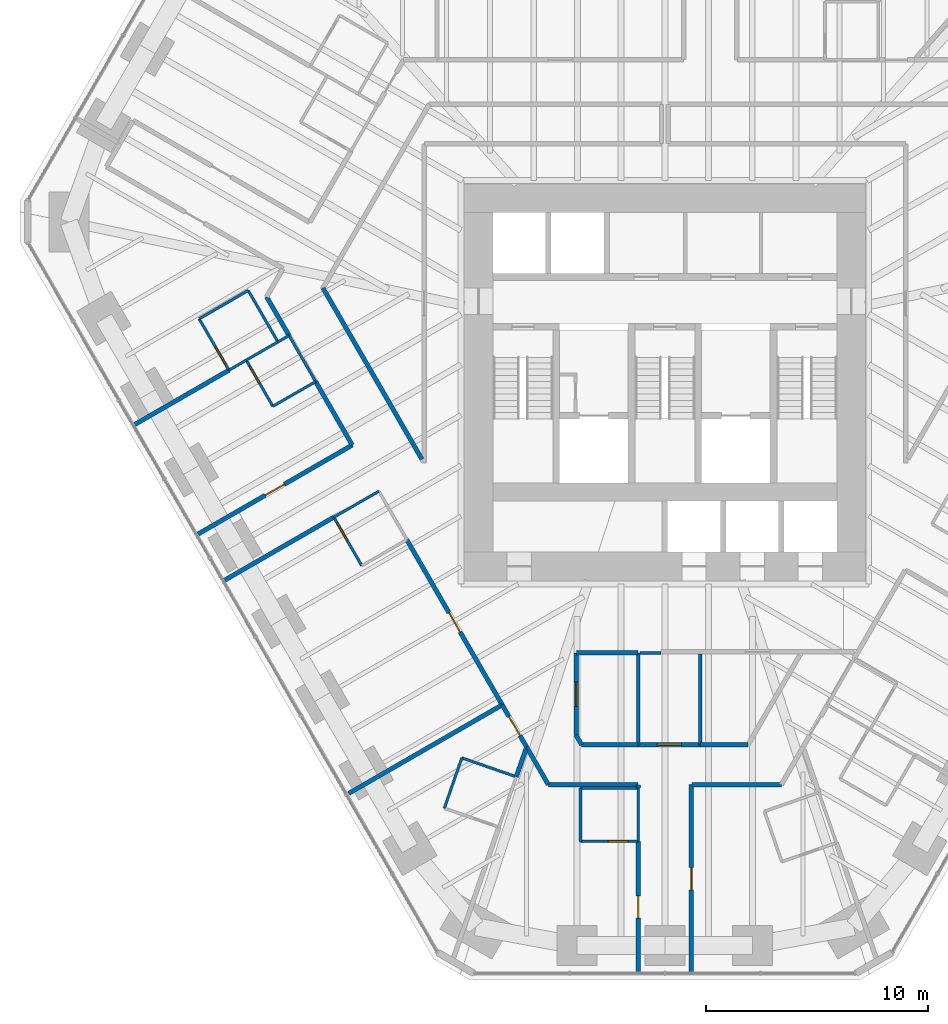
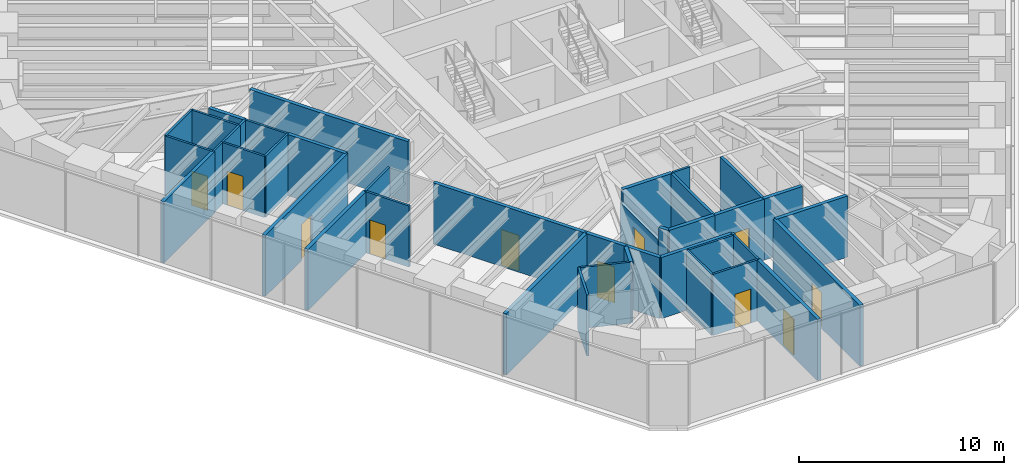
# One storey, part 11 of 16: 42 walls, 11 doors, 11 openings.
"""IFC4 building model written with IfcOpenShell, lengths in metres."""

from ifc_helpers import new_model, si_unit, direction, frame, frame_2d, origin, place, context, subcontext, project, spatial, rectangle, extrude, material, layer, layer_set, type_object, element, fill, save


model = new_model("IFC4")

# Units and contexts
model_context = context("Model", 3, precision=1e-05, world=origin(), true_north=direction((0.0, 1.0)))
body_context = subcontext(model_context, "Body", "Model", "MODEL_VIEW")
ifc_project = project(units=[si_unit("LENGTHUNIT", "METRE"), si_unit("AREAUNIT", "SQUARE_METRE"), si_unit("VOLUMEUNIT", "CUBIC_METRE"), si_unit("PLANEANGLEUNIT", "RADIAN"), si_unit("MASSUNIT", "GRAM", prefix="KILO")], contexts=[model_context])

# Site, building, storey
site_placement = place(None, origin())
site = spatial("IfcSite", under=ifc_project, at=site_placement, CompositionType="ELEMENT")
building_placement = place(site_placement, origin())
building = spatial("IfcBuilding", under=site, at=building_placement, Name="Sandreach Pilgrim Tower", CompositionType="ELEMENT")
storey_placement = place(building_placement, frame((0.0, 0.0, 134.800048828125)))
storey = spatial("IfcBuildingStorey", under=building, at=storey_placement, Name="L33", CompositionType="ELEMENT", Elevation=134.800048828125)

# Walls
ifc_material_1 = material(Name="Gypsum board on steel studs", Category="steel")
ifc_layer_1 = layer(ifc_material_1, 0.14990234375)
ifc_layer_set_1 = layer_set([ifc_layer_1], Name="Back of house wall 150")
wall_type_1 = type_object("IfcWallType", Name="Back of house wall 150", PredefinedType="PARTITIONING", material=ifc_layer_set_1)
wall_1_placement = place(storey_placement, frame((-1.199951171875, -13.75, 0.0), z_axis=(0.0, 0.0, 1.0), x_axis=(0.0, -1.0, 0.0)))
element("IfcWall", 1, at=wall_1_placement, inside=storey, type_object=wall_type_1, Name="Back of house wall L33-064", PredefinedType="PARTITIONING", context=body_context, shape_type="SweptSolid", body=[
    extrude(rectangle(XDim=4.139892578125, YDim=0.14990234375, at=frame_2d((2.06982421875, 0.0))), origin(), (0.0, 0.0, 1.0), 3.639892578125),
])
wall_2_placement = place(storey_placement, frame((1.60009765625, -13.800048828125, 0.0), z_axis=(0.0, 0.0, 1.0), x_axis=(0.0, -1.0, 0.0)))
element("IfcWall", 2, at=wall_2_placement, inside=storey, type_object=wall_type_1, Name="Back of house wall L33-075", PredefinedType="PARTITIONING", context=body_context, shape_type="SweptSolid", body=[
    extrude(rectangle(XDim=4.08984375, YDim=0.14990234375, at=frame_2d((2.044921875, 0.0))), origin(), (0.0, 0.0, 1.0), 3.639892578125),
])

# Wall, opening, door
ifc_material_2 = material(Name="Moisture-resistant gypsum board on steel studs", Category="steel")
ifc_layer_2 = layer(ifc_material_2, 0.1201171875)
ifc_layer_set_2 = layer_set([ifc_layer_2], Name="Bathroom partition 120")
wall_type_2 = type_object("IfcWallType", Name="Bathroom partition 120", PredefinedType="PARTITIONING", material=ifc_layer_set_2)
wall_3_placement = place(storey_placement, frame((-20.989990234375, 1.31005859375, 0.0), z_axis=(0.0, 0.0, 1.0), x_axis=(0.501789229896, -0.86498992408, 0.0)))
wall_3 = element("IfcWall", 3, at=wall_3_placement, inside=storey, type_object=wall_type_2, Name="Bathroom partition L33-007", PredefinedType="PARTITIONING", context=body_context, shape_type="SweptSolid", body=[
    extrude(rectangle(XDim=2.670654296875, YDim=0.1201171875, at=frame_2d((1.33544921875, 0.0))), origin(), (0.0, 0.0, 1.0), 3.639892578125),
])
opening_1_placement = place(wall_3_placement, frame((1.470458984375, 0.0, 0.0)))
opening_1 = element("IfcOpeningElement", 4, at=opening_1_placement, cuts=wall_3, Name="Opening D09-15B", PredefinedType="OPENING", context=body_context, shape_type="SweptSolid", body=[
    extrude(rectangle(XDim=0.89990234375, YDim=2.030029296875, at=frame_2d((0.449951171875, 1.01513671875))), frame((0.0, 0.06005859375, 0.0), z_axis=(0.0, -1.0, 0.0), x_axis=(1.0, 0.0, 0.0)), (0.0, 0.0, 1.0), 0.1201171875),
])
ifc_material_3 = material(Name="Timber door, steel frame", Category="steel")
door_type_1 = type_object("IfcDoorType", Name="Bathroom door", OperationType="SINGLE_SWING_LEFT", PredefinedType="DOOR", material=ifc_material_3)
door_1_placement = place(opening_1_placement, origin())
door_1 = element("IfcDoor", 5, at=door_1_placement, inside=storey, type_object=door_type_1, Name="Door 3315B", OperationType="SINGLE_SWING_RIGHT", OverallHeight=2.030029296875, OverallWidth=0.89990234375, PredefinedType="DOOR", context=body_context, shape_type="SweptSolid", body=[
    extrude(rectangle(XDim=0.89990234375, YDim=2.030029296875, at=frame_2d((0.449951171875, 1.01513671875))), frame((0.0, 0.02490234375, 0.0), z_axis=(0.0, -1.0, 0.0), x_axis=(1.0, 0.0, 0.0)), (0.0, 0.0, 1.0), 0.050048828125),
])
fill(opening_1, door_1)

# Wall
wall_4_placement = place(storey_placement, frame((-19.648193359375, -1.0029296875, 0.0), z_axis=(0.0, 0.0, 1.0), x_axis=(0.864260452894, 0.503044599974, 0.0)))
element("IfcWall", 6, at=wall_4_placement, inside=storey, type_object=wall_type_2, Name="Bathroom partition L33-009", PredefinedType="PARTITIONING", context=body_context, shape_type="SweptSolid", body=[
    extrude(rectangle(XDim=0.900390625, YDim=0.1201171875, at=frame_2d((0.4501953125, 0.0))), origin(), (0.0, 0.0, 1.0), 3.639892578125),
])

# Wall, opening, door
wall_5_placement = place(storey_placement, frame((-18.8701171875, -0.550048828125, 0.0), z_axis=(0.0, 0.0, 1.0), x_axis=(0.499813401482, -0.866133109688, 0.0)))
wall_5 = element("IfcWall", 7, at=wall_5_placement, inside=storey, type_object=wall_type_2, Name="Bathroom partition L33-010", PredefinedType="PARTITIONING", context=body_context, shape_type="SweptSolid", body=[
    extrude(rectangle(XDim=2.4013671875, YDim=0.1201171875, at=frame_2d((1.20068359375, 0.0))), origin(), (0.0, 0.0, 1.0), 3.639892578125),
])
opening_2_placement = place(wall_5_placement, frame((0.300048828125, 0.0, 0.0)))
opening_2 = element("IfcOpeningElement", 8, at=opening_2_placement, cuts=wall_5, Name="Opening D09-14B", PredefinedType="OPENING", context=body_context, shape_type="SweptSolid", body=[
    extrude(rectangle(XDim=0.89990234375, YDim=2.030029296875, at=frame_2d((0.449951171875, 1.01513671875))), frame((0.0, 0.06005859375, 0.0), z_axis=(0.0, -1.0, 0.0), x_axis=(1.0, 0.0, 0.0)), (0.0, 0.0, 1.0), 0.1201171875),
])
door_2_placement = place(opening_2_placement, origin())
door_2 = element("IfcDoor", 9, at=door_2_placement, inside=storey, type_object=door_type_1, Name="Door 3314B", OperationType="SINGLE_SWING_LEFT", OverallHeight=2.030029296875, OverallWidth=0.89990234375, PredefinedType="DOOR", context=body_context, shape_type="SweptSolid", body=[
    extrude(rectangle(XDim=0.89990234375, YDim=2.030029296875, at=frame_2d((0.449951171875, 1.01513671875))), frame((0.0, 0.02490234375, 0.0), z_axis=(0.0, -1.0, 0.0), x_axis=(1.0, 0.0, 0.0)), (0.0, 0.0, 1.0), 0.050048828125),
])
fill(opening_2, door_2)

# Walls
wall_6_placement = place(storey_placement, frame((-18.8701171875, -0.550048828125, 0.0), z_axis=(0.0, 0.0, 1.0), x_axis=(0.867504015586, 0.497430178961, 0.0)))
element("IfcWall", 10, at=wall_6_placement, inside=storey, type_object=wall_type_2, Name="Bathroom partition L33-011", PredefinedType="PARTITIONING", context=body_context, shape_type="SweptSolid", body=[
    extrude(rectangle(XDim=1.648681640625, YDim=0.1201171875, at=frame_2d((0.82421875, 0.0))), origin(), (0.0, 0.0, 1.0), 3.639892578125),
])
wall_7_placement = place(storey_placement, frame((-18.780029296875, 2.590087890625, 0.0), z_axis=(0.0, 0.0, 1.0), x_axis=(-0.865328095335, -0.50120583339, 0.0)))
element("IfcWall", 11, at=wall_7_placement, inside=storey, type_object=wall_type_2, Name="Bathroom partition L33-012", PredefinedType="PARTITIONING", context=body_context, shape_type="SweptSolid", body=[
    extrude(rectangle(XDim=2.553955078125, YDim=0.1201171875, at=frame_2d((1.27685546875, 0.0))), origin(), (0.0, 0.0, 1.0), 3.639892578125),
])
wall_8_placement = place(storey_placement, frame((-17.669921875, -2.6298828125, 0.0), z_axis=(0.0, 0.0, 1.0), x_axis=(0.86687668408, 0.498522631983, 0.0)))
element("IfcWall", 12, at=wall_8_placement, inside=storey, type_object=wall_type_2, Name="Bathroom partition L33-014", PredefinedType="PARTITIONING", context=body_context, shape_type="SweptSolid", body=[
    extrude(rectangle(XDim=2.226318359375, YDim=0.1201171875, at=frame_2d((1.11328125, 0.0))), origin(), (0.0, 0.0, 1.0), 3.639892578125),
])
wall_9_placement = place(storey_placement, frame((-17.43994140625, 0.27001953125, 0.0), z_axis=(0.0, 0.0, 1.0), x_axis=(-0.500166770141, 0.865929097586, 0.0)))
element("IfcWall", 13, at=wall_9_placement, inside=storey, type_object=wall_type_2, Name="Bathroom partition L33-015", PredefinedType="PARTITIONING", context=body_context, shape_type="SweptSolid", body=[
    extrude(rectangle(XDim=2.67919921875, YDim=0.1201171875, at=frame_2d((1.339599609375, 0.0))), origin(), (0.0, 0.0, 1.0), 3.639892578125),
])
wall_10_placement = place(storey_placement, frame((-17.43994140625, 0.27001953125, 0.0), z_axis=(0.0, 0.0, 1.0), x_axis=(0.865001858693, 0.501768656312, 0.0)))
element("IfcWall", 14, at=wall_10_placement, inside=storey, type_object=wall_type_2, Name="Bathroom partition L33-016", PredefinedType="PARTITIONING", context=body_context, shape_type="SweptSolid", body=[
    extrude(rectangle(XDim=0.578125, YDim=0.1201171875, at=frame_2d((0.2890625, 0.0))), origin(), (0.0, 0.0, 1.0), 3.639892578125),
])
wall_11_placement = place(storey_placement, frame((-16.93994140625, 0.56005859375, 0.0), z_axis=(0.0, 0.0, 1.0), x_axis=(0.499693115345, -0.866202511239, 0.0)))
element("IfcWall", 15, at=wall_11_placement, inside=storey, type_object=wall_type_2, Name="Bathroom partition L33-018", PredefinedType="PARTITIONING", context=body_context, shape_type="SweptSolid", body=[
    extrude(rectangle(XDim=2.4013671875, YDim=0.1201171875, at=frame_2d((1.20068359375, 0.0))), origin(), (0.0, 0.0, 1.0), 3.639892578125),
])

# Wall, opening, door
wall_12_placement = place(storey_placement, frame((-14.919921875, -7.6298828125, 0.0), z_axis=(0.0, 0.0, 1.0), x_axis=(0.498665353881, -0.866794592068, 0.0)))
wall_12 = element("IfcWall", 16, at=wall_12_placement, inside=storey, type_object=wall_type_2, Name="Bathroom partition L33-027", PredefinedType="PARTITIONING", context=body_context, shape_type="SweptSolid", body=[
    extrude(rectangle(XDim=2.52685546875, YDim=0.1201171875, at=frame_2d((1.263427734375, 0.0))), origin(), (0.0, 0.0, 1.0), 3.639892578125),
])
opening_3_placement = place(wall_12_placement, frame((0.300048828125, 0.0, 0.0)))
opening_3 = element("IfcOpeningElement", 17, at=opening_3_placement, cuts=wall_12, Name="Opening D09-13B", PredefinedType="OPENING", context=body_context, shape_type="SweptSolid", body=[
    extrude(rectangle(XDim=0.89990234375, YDim=2.030029296875, at=frame_2d((0.449951171875, 1.01513671875))), frame((0.0, 0.06005859375, 0.0), z_axis=(0.0, -1.0, 0.0), x_axis=(1.0, 0.0, 0.0)), (0.0, 0.0, 1.0), 0.1201171875),
])
door_3_placement = place(opening_3_placement, origin())
door_3 = element("IfcDoor", 18, at=door_3_placement, inside=storey, type_object=door_type_1, Name="Door 3313B", OperationType="SINGLE_SWING_LEFT", OverallHeight=2.030029296875, OverallWidth=0.89990234375, PredefinedType="DOOR", context=body_context, shape_type="SweptSolid", body=[
    extrude(rectangle(XDim=0.89990234375, YDim=2.030029296875, at=frame_2d((0.449951171875, 1.01513671875))), frame((0.0, 0.02490234375, 0.0), z_axis=(0.0, -1.0, 0.0), x_axis=(1.0, 0.0, 0.0)), (0.0, 0.0, 1.0), 0.050048828125),
])
fill(opening_3, door_3)

# Walls
wall_13_placement = place(storey_placement, frame((-14.919921875, -7.6298828125, 0.0), z_axis=(0.0, 0.0, 1.0), x_axis=(0.866390229467, 0.499367570316, 0.0)))
element("IfcWall", 19, at=wall_13_placement, inside=storey, type_object=wall_type_2, Name="Bathroom partition L33-028", PredefinedType="PARTITIONING", context=body_context, shape_type="SweptSolid", body=[
    extrude(rectangle(XDim=2.3427734375, YDim=0.1201171875, at=frame_2d((1.17138671875, 0.0))), origin(), (0.0, 0.0, 1.0), 3.639892578125),
])
wall_14_placement = place(storey_placement, frame((-9.14990234375, -18.47998046875, 0.0), z_axis=(0.0, 0.0, 1.0), x_axis=(-0.328693963496, -0.944436487203, 0.0)))
element("IfcWall", 20, at=wall_14_placement, inside=storey, type_object=wall_type_2, Name="Bathroom partition L33-047", PredefinedType="PARTITIONING", context=body_context, shape_type="SweptSolid", body=[
    extrude(rectangle(XDim=2.403564453125, YDim=0.1201171875, at=frame_2d((1.20166015625, 0.0))), origin(), (0.0, 0.0, 1.0), 3.639892578125),
])
wall_15_placement = place(storey_placement, frame((-6.699951171875, -19.330078125, 0.0), z_axis=(0.0, 0.0, 1.0), x_axis=(-0.944753042377, 0.327782990589, 0.0)))
element("IfcWall", 21, at=wall_15_placement, inside=storey, type_object=wall_type_2, Name="Bathroom partition L33-050", PredefinedType="PARTITIONING", context=body_context, shape_type="SweptSolid", body=[
    extrude(rectangle(XDim=2.593505859375, YDim=0.1201171875, at=frame_2d((1.296875, 0.0))), origin(), (0.0, 0.0, 1.0), 3.639892578125),
])

# Wall, opening, door
wall_16_placement = place(storey_placement, frame((-3.800048828125, -22.239990234375, 0.0), z_axis=(0.0, 0.0, 1.0), x_axis=(1.0, 0.0, 0.0)))
wall_16 = element("IfcWall", 22, at=wall_16_placement, inside=storey, type_object=wall_type_2, Name="Bathroom partition L33-056", PredefinedType="PARTITIONING", context=body_context, shape_type="SweptSolid", body=[
    extrude(rectangle(XDim=2.60009765625, YDim=0.1201171875, at=frame_2d((1.300048828125, 0.0))), origin(), (0.0, 0.0, 1.0), 3.639892578125),
])
opening_4_placement = place(wall_16_placement, frame((1.25, 0.0, 0.0)))
opening_4 = element("IfcOpeningElement", 23, at=opening_4_placement, cuts=wall_16, Name="Opening D09-11B", PredefinedType="OPENING", context=body_context, shape_type="SweptSolid", body=[
    extrude(rectangle(XDim=0.89990234375, YDim=2.030029296875, at=frame_2d((0.449951171875, 1.01513671875))), frame((0.0, 0.06005859375, 0.0), z_axis=(0.0, -1.0, 0.0), x_axis=(1.0, 0.0, 0.0)), (0.0, 0.0, 1.0), 0.1201171875),
])
door_4_placement = place(opening_4_placement, origin())
door_4 = element("IfcDoor", 24, at=door_4_placement, inside=storey, type_object=door_type_1, Name="Door 3311B", OperationType="SINGLE_SWING_RIGHT", OverallHeight=2.030029296875, OverallWidth=0.89990234375, PredefinedType="DOOR", context=body_context, shape_type="SweptSolid", body=[
    extrude(rectangle(XDim=0.89990234375, YDim=2.030029296875, at=frame_2d((0.449951171875, 1.01513671875))), frame((0.0, 0.02490234375, 0.0), z_axis=(0.0, -1.0, 0.0), x_axis=(1.0, 0.0, 0.0)), (0.0, 0.0, 1.0), 0.050048828125),
])
fill(opening_4, door_4)

# Walls
wall_17_placement = place(storey_placement, frame((-3.800048828125, -19.840087890625, 0.0), z_axis=(0.0, 0.0, 1.0), x_axis=(0.0, -1.0, 0.0)))
element("IfcWall", 25, at=wall_17_placement, inside=storey, type_object=wall_type_2, Name="Bathroom partition L33-057", PredefinedType="PARTITIONING", context=body_context, shape_type="SweptSolid", body=[
    extrude(rectangle(XDim=2.39990234375, YDim=0.1201171875, at=frame_2d((1.199951171875, 0.0))), origin(), (0.0, 0.0, 1.0), 3.639892578125),
])
wall_18_placement = place(storey_placement, frame((-1.199951171875, -19.840087890625, 0.0), z_axis=(0.0, 0.0, 1.0), x_axis=(-1.0, 0.0, 0.0)))
element("IfcWall", 26, at=wall_18_placement, inside=storey, type_object=wall_type_2, Name="Bathroom partition L33-060", PredefinedType="PARTITIONING", context=body_context, shape_type="SweptSolid", body=[
    extrude(rectangle(XDim=2.60009765625, YDim=0.1201171875, at=frame_2d((1.300048828125, 0.0))), origin(), (0.0, 0.0, 1.0), 3.639892578125),
])
wall_19_placement = place(storey_placement, frame((-1.199951171875, -19.840087890625, 0.0), z_axis=(0.0, 0.0, 1.0), x_axis=(0.0, -1.0, 0.0)))
element("IfcWall", 27, at=wall_19_placement, inside=storey, type_object=wall_type_2, Name="Bathroom partition L33-061", PredefinedType="PARTITIONING", context=body_context, shape_type="SweptSolid", body=[
    extrude(rectangle(XDim=2.39990234375, YDim=0.1201171875, at=frame_2d((1.199951171875, 0.0))), origin(), (0.0, 0.0, 1.0), 3.639892578125),
])
wall_20_placement = place(storey_placement, frame((-1.125, -13.75, 0.0), z_axis=(0.0, 0.0, 1.0), x_axis=(1.0, 0.0, 0.0)))
element("IfcWall", 28, at=wall_20_placement, inside=storey, type_object=wall_type_2, Name="Bathroom partition L33-065", PredefinedType="PARTITIONING", context=body_context, shape_type="SweptSolid", body=[
    extrude(rectangle(XDim=0.955078125, YDim=0.1201171875, at=frame_2d((0.4775390625, 0.0))), origin(), (0.0, 0.0, 1.0), 3.639892578125),
])
ifc_material_4 = material(Name="Gypsum board on steel studs, two layers each side", Category="steel")
ifc_layer_3 = layer(ifc_material_4, 0.199951171875)
ifc_layer_set_3 = layer_set([ifc_layer_3], Name="Corridor wall 200")
wall_type_3 = type_object("IfcWallType", Name="Corridor wall 200", PredefinedType="PARTITIONING", material=ifc_layer_set_3)
wall_21_placement = place(storey_placement, frame((-19.884033203125, -10.4951171875, 0.0), z_axis=(0.0, 0.0, 1.0), x_axis=(0.86608558139, 0.499895754841, 0.0)))
element("IfcWall", 29, at=wall_21_placement, inside=storey, type_object=wall_type_3, Name="Corridor wall L33-008", PredefinedType="PARTITIONING", context=body_context, shape_type="SweptSolid", body=[
    extrude(rectangle(XDim=5.731689453125, YDim=0.199951171875, at=frame_2d((2.86572265625, 0.0))), origin(), (0.0, 0.0, 1.0), 3.639892578125),
])
wall_22_placement = place(storey_placement, frame((-17.949951171875, 2.300048828125, 0.0), z_axis=(0.0, 0.0, 1.0), x_axis=(0.502021340952, -0.864855232527, 0.0)))
element("IfcWall", 30, at=wall_22_placement, inside=storey, type_object=wall_type_3, Name="Corridor wall L33-013", PredefinedType="PARTITIONING", context=body_context, shape_type="SweptSolid", body=[
    extrude(rectangle(XDim=2.011962890625, YDim=0.199951171875, at=frame_2d((1.005859375, 0.0))), origin(), (0.0, 0.0, 1.0), 3.639892578125),
])
wall_23_placement = place(storey_placement, frame((-15.739990234375, -1.52001953125, 0.0), z_axis=(0.0, 0.0, 1.0), x_axis=(0.499728874041, -0.866181881853, 0.0)))
element("IfcWall", 31, at=wall_23_placement, inside=storey, type_object=wall_type_3, Name="Corridor wall L33-023", PredefinedType="PARTITIONING", context=body_context, shape_type="SweptSolid", body=[
    extrude(rectangle(XDim=3.291748046875, YDim=0.199951171875, at=frame_2d((1.64599609375, 0.0))), origin(), (0.0, 0.0, 1.0), 3.639892578125),
])

# Wall, opening, door
wall_24_placement = place(storey_placement, frame((-14.090087890625, -4.3798828125, 0.0), z_axis=(0.0, 0.0, 1.0), x_axis=(-0.866174008169, -0.499742521277, 0.0)))
wall_24 = element("IfcWall", 32, at=wall_24_placement, inside=storey, type_object=wall_type_3, Name="Corridor wall L33-032", PredefinedType="PARTITIONING", context=body_context, shape_type="SweptSolid", body=[
    extrude(rectangle(XDim=8.074462890625, YDim=0.199951171875, at=frame_2d((4.037109375, 0.0))), origin(), (0.0, 0.0, 1.0), 3.639892578125),
])
opening_5_placement = place(wall_24_placement, frame((3.537353515625, 0.0, 0.0)))
opening_5 = element("IfcOpeningElement", 33, at=opening_5_placement, cuts=wall_24, Name="Opening D10-14", PredefinedType="OPENING", context=body_context, shape_type="SweptSolid", body=[
    extrude(rectangle(XDim=1.0, YDim=2.1298828125, at=frame_2d((0.5, 1.06494140625))), frame((0.0, 0.10009765625, 0.0), z_axis=(0.0, -1.0, 0.0), x_axis=(1.0, 0.0, 0.0)), (0.0, 0.0, 1.0), 0.199951171875),
])
ifc_material_5 = material(Name="Steel door and frame", Category="steel")
door_type_2 = type_object("IfcDoorType", Name="Guest room entry door", OperationType="SINGLE_SWING_LEFT", PredefinedType="DOOR", material=ifc_material_5)
door_5_placement = place(opening_5_placement, origin())
door_5 = element("IfcDoor", 34, at=door_5_placement, inside=storey, type_object=door_type_2, Name="Door 3314", OperationType="SINGLE_SWING_LEFT", OverallHeight=2.1298828125, OverallWidth=1.0, PredefinedType="DOOR", context=body_context, shape_type="SweptSolid", body=[
    extrude(rectangle(XDim=1.0, YDim=2.1298828125, at=frame_2d((0.5, 1.06494140625))), frame((0.0, 0.02490234375, 0.0), z_axis=(0.0, -1.0, 0.0), x_axis=(1.0, 0.0, 0.0)), (0.0, 0.0, 1.0), 0.050048828125),
])
fill(opening_5, door_5)

wall_25_placement = place(storey_placement, frame((-11.6298828125, -8.64990234375, 0.0), z_axis=(0.0, 0.0, 1.0), x_axis=(0.500367528775, -0.865813106939, 0.0)))
wall_25 = element("IfcWall", 35, at=wall_25_placement, inside=storey, type_object=wall_type_3, Name="Corridor wall L33-039", PredefinedType="PARTITIONING", context=body_context, shape_type="SweptSolid", body=[
    extrude(rectangle(XDim=8.59326171875, YDim=0.199951171875, at=frame_2d((4.296630859375, 0.0))), origin(), (0.0, 0.0, 1.0), 3.639892578125),
])
opening_6_placement = place(wall_25_placement, frame((3.796630859375, 0.0, 0.0)))
opening_6 = element("IfcOpeningElement", 36, at=opening_6_placement, cuts=wall_25, Name="Opening D10-13", PredefinedType="OPENING", context=body_context, shape_type="SweptSolid", body=[
    extrude(rectangle(XDim=1.0, YDim=2.1298828125, at=frame_2d((0.5, 1.06494140625))), frame((0.0, 0.10009765625, 0.0), z_axis=(0.0, -1.0, 0.0), x_axis=(1.0, 0.0, 0.0)), (0.0, 0.0, 1.0), 0.199951171875),
])
door_6_placement = place(opening_6_placement, origin())
door_6 = element("IfcDoor", 37, at=door_6_placement, inside=storey, type_object=door_type_2, Name="Door 3313", OperationType="SINGLE_SWING_LEFT", OverallHeight=2.1298828125, OverallWidth=1.0, PredefinedType="DOOR", context=body_context, shape_type="SweptSolid", body=[
    extrude(rectangle(XDim=1.0, YDim=2.1298828125, at=frame_2d((0.5, 1.06494140625))), frame((0.0, 0.02490234375, 0.0), z_axis=(0.0, -1.0, 0.0), x_axis=(1.0, 0.0, 0.0)), (0.0, 0.0, 1.0), 0.050048828125),
])
fill(opening_6, door_6)

# Wall
wall_26_placement = place(storey_placement, frame((-10.947509765625, -5.021240234375, 0.0), z_axis=(0.0, 0.0, 1.0), x_axis=(-0.500384322182, 0.865803401538, 0.0)))
element("IfcWall", 38, at=wall_26_placement, inside=storey, type_object=wall_type_3, Name="Corridor wall L33-040", PredefinedType="PARTITIONING", context=body_context, shape_type="SweptSolid", body=[
    extrude(rectangle(XDim=8.91796875, YDim=0.199951171875, at=frame_2d((4.458984375, 0.0))), origin(), (0.0, 0.0, 1.0), 3.639892578125),
])

# Wall, opening, door
wall_27_placement = place(storey_placement, frame((-7.330078125, -16.090087890625, 0.0), z_axis=(0.0, 0.0, 1.0), x_axis=(0.501088872721, -0.865395829453, 0.0)))
wall_27 = element("IfcWall", 39, at=wall_27_placement, inside=storey, type_object=wall_type_3, Name="Corridor wall L33-049", PredefinedType="PARTITIONING", context=body_context, shape_type="SweptSolid", body=[
    extrude(rectangle(XDim=2.1953125, YDim=0.199951171875, at=frame_2d((1.09765625, 0.0))), origin(), (0.0, 0.0, 1.0), 3.639892578125),
])
opening_7_placement = place(wall_27_placement, frame((0.59765625, 0.0, 0.0)))
opening_7 = element("IfcOpeningElement", 40, at=opening_7_placement, cuts=wall_27, Name="Opening D10-12", PredefinedType="OPENING", context=body_context, shape_type="SweptSolid", body=[
    extrude(rectangle(XDim=1.0, YDim=2.1298828125, at=frame_2d((0.5, 1.06494140625))), frame((0.0, 0.10009765625, 0.0), z_axis=(0.0, -1.0, 0.0), x_axis=(1.0, 0.0, 0.0)), (0.0, 0.0, 1.0), 0.199951171875),
])
door_7_placement = place(opening_7_placement, origin())
door_7 = element("IfcDoor", 41, at=door_7_placement, inside=storey, type_object=door_type_2, Name="Door 3312", OperationType="SINGLE_SWING_LEFT", OverallHeight=2.1298828125, OverallWidth=1.0, PredefinedType="DOOR", context=body_context, shape_type="SweptSolid", body=[
    extrude(rectangle(XDim=1.0, YDim=2.1298828125, at=frame_2d((0.5, 1.06494140625))), frame((0.0, 0.02490234375, 0.0), z_axis=(0.0, -1.0, 0.0), x_axis=(1.0, 0.0, 0.0)), (0.0, 0.0, 1.0), 0.050048828125),
])
fill(opening_7, door_7)

# Walls
wall_28_placement = place(storey_placement, frame((-6.22998046875, -17.989990234375, 0.0), z_axis=(0.0, 0.0, 1.0), x_axis=(0.499431599995, -0.866353321068, 0.0)))
element("IfcWall", 42, at=wall_28_placement, inside=storey, type_object=wall_type_3, Name="Corridor wall L33-052", PredefinedType="PARTITIONING", context=body_context, shape_type="SweptSolid", body=[
    extrude(rectangle(XDim=1.962158203125, YDim=0.199951171875, at=frame_2d((0.98095703125, 0.0))), origin(), (0.0, 0.0, 1.0), 3.639892578125),
])
wall_29_placement = place(storey_placement, frame((-5.25, -19.68994140625, 0.0), z_axis=(0.0, 0.0, 1.0), x_axis=(1.0, 0.0, 0.0)))
element("IfcWall", 43, at=wall_29_placement, inside=storey, type_object=wall_type_3, Name="Corridor wall L33-053", PredefinedType="PARTITIONING", context=body_context, shape_type="SweptSolid", body=[
    extrude(rectangle(XDim=4.050048828125, YDim=0.199951171875, at=frame_2d((2.02490234375, 0.0))), origin(), (0.0, 0.0, 1.0), 3.639892578125),
])

# Wall, opening, door
wall_30_placement = place(storey_placement, frame((-4.0, -17.4599609375, 0.0), z_axis=(0.0, 0.0, 1.0), x_axis=(0.0, 1.0, 0.0)))
wall_30 = element("IfcWall", 44, at=wall_30_placement, inside=storey, type_object=wall_type_3, Name="Corridor wall L33-054", PredefinedType="PARTITIONING", context=body_context, shape_type="SweptSolid", body=[
    extrude(rectangle(XDim=3.7099609375, YDim=0.199951171875, at=frame_2d((1.85498046875, 0.0))), origin(), (0.0, 0.0, 1.0), 2.8779296875),
])
opening_8_placement = place(wall_30_placement, frame((1.304931640625, 0.0, 0.0)))
opening_8 = element("IfcOpeningElement", 45, at=opening_8_placement, cuts=wall_30, Name="Opening D11H-S2", PredefinedType="OPENING", context=body_context, shape_type="SweptSolid", body=[
    extrude(rectangle(XDim=1.10009765625, YDim=2.199951171875, at=frame_2d((0.550048828125, 1.10009765625))), frame((0.0, 0.10009765625, 0.0), z_axis=(0.0, -1.0, 0.0), x_axis=(1.0, 0.0, 0.0)), (0.0, 0.0, 1.0), 0.199951171875),
])
ifc_material_6 = material(Name="Steel door and frame", Category="steel")
door_type_3 = type_object("IfcDoorType", Name="Back of house door", OperationType="SINGLE_SWING_LEFT", PredefinedType="DOOR", material=ifc_material_6)
door_8_placement = place(opening_8_placement, origin())
door_8 = element("IfcDoor", 46, at=door_8_placement, inside=storey, type_object=door_type_3, Name="Door 33S2", OperationType="SINGLE_SWING_LEFT", OverallHeight=2.199951171875, OverallWidth=1.10009765625, PredefinedType="DOOR", context=body_context, shape_type="SweptSolid", body=[
    extrude(rectangle(XDim=1.10009765625, YDim=2.199951171875, at=frame_2d((0.550048828125, 1.10009765625))), frame((0.0, 0.02490234375, 0.0), z_axis=(0.0, -1.0, 0.0), x_axis=(1.0, 0.0, 0.0)), (0.0, 0.0, 1.0), 0.050048828125),
])
fill(opening_8, door_8)

# Walls
wall_31_placement = place(storey_placement, frame((-3.989990234375, -13.75, 0.0), z_axis=(0.0, 0.0, 1.0), x_axis=(1.0, 0.0, 0.0)))
element("IfcWall", 47, at=wall_31_placement, inside=storey, type_object=wall_type_3, Name="Corridor wall L33-055", PredefinedType="PARTITIONING", context=body_context, shape_type="SweptSolid", body=[
    extrude(rectangle(XDim=2.7900390625, YDim=0.199951171875, at=frame_2d((1.39501953125, 0.0))), origin(), (0.0, 0.0, 1.0), 3.639892578125),
])
wall_32_placement = place(storey_placement, frame((-3.75, -17.889892578125, 0.0), z_axis=(0.0, 0.0, 1.0), x_axis=(-0.502680181512, 0.864472460588, 0.0)))
element("IfcWall", 48, at=wall_32_placement, inside=storey, type_object=wall_type_3, Name="Corridor wall L33-058", PredefinedType="PARTITIONING", context=body_context, shape_type="SweptSolid", body=[
    extrude(rectangle(XDim=0.497314453125, YDim=0.199951171875, at=frame_2d((0.24853515625, 0.0))), origin(), (0.0, 0.0, 1.0), 3.639892578125),
])

# Wall, opening, door
wall_33_placement = place(storey_placement, frame((-1.199951171875, -22.239990234375, 0.0), z_axis=(0.0, 0.0, 1.0), x_axis=(0.0, -1.0, 0.0)))
wall_33 = element("IfcWall", 49, at=wall_33_placement, inside=storey, type_object=wall_type_3, Name="Corridor wall L33-059", PredefinedType="PARTITIONING", context=body_context, shape_type="SweptSolid", body=[
    extrude(rectangle(XDim=5.919921875, YDim=0.199951171875, at=frame_2d((2.9599609375, 0.0))), origin(), (0.0, 0.0, 1.0), 3.639892578125),
])
opening_9_placement = place(wall_33_placement, frame((2.4599609375, 0.0, 0.0)))
opening_9 = element("IfcOpeningElement", 50, at=opening_9_placement, cuts=wall_33, Name="Opening D10-11", PredefinedType="OPENING", context=body_context, shape_type="SweptSolid", body=[
    extrude(rectangle(XDim=1.0, YDim=2.1298828125, at=frame_2d((0.5, 1.06494140625))), frame((0.0, 0.10009765625, 0.0), z_axis=(0.0, -1.0, 0.0), x_axis=(1.0, 0.0, 0.0)), (0.0, 0.0, 1.0), 0.199951171875),
])
door_9_placement = place(opening_9_placement, origin())
door_9 = element("IfcDoor", 51, at=door_9_placement, inside=storey, type_object=door_type_2, Name="Door 3311", OperationType="SINGLE_SWING_LEFT", OverallHeight=2.1298828125, OverallWidth=1.0, PredefinedType="DOOR", context=body_context, shape_type="SweptSolid", body=[
    extrude(rectangle(XDim=1.0, YDim=2.1298828125, at=frame_2d((0.5, 1.06494140625))), frame((0.0, 0.02490234375, 0.0), z_axis=(0.0, -1.0, 0.0), x_axis=(1.0, 0.0, 0.0)), (0.0, 0.0, 1.0), 0.050048828125),
])
fill(opening_9, door_9)

# Walls
wall_34_placement = place(storey_placement, frame((-1.199951171875, -19.699951171875, 0.0), z_axis=(0.0, 0.0, 1.0), x_axis=(0.0, -1.0, 0.0)))
element("IfcWall", 52, at=wall_34_placement, inside=storey, type_object=wall_type_3, Name="Corridor wall L33-062", PredefinedType="PARTITIONING", context=body_context, shape_type="SweptSolid", body=[
    extrude(rectangle(XDim=0.14013671875, YDim=0.199951171875, at=frame_2d((0.070068359375, 0.0))), origin(), (0.0, 0.0, 1.0), 3.639892578125),
])
wall_35_placement = place(storey_placement, frame((-1.199951171875, -17.889892578125, 0.0), z_axis=(0.0, 0.0, 1.0), x_axis=(-1.0, 0.0, 0.0)))
element("IfcWall", 53, at=wall_35_placement, inside=storey, type_object=wall_type_3, Name="Corridor wall L33-063", PredefinedType="PARTITIONING", context=body_context, shape_type="SweptSolid", body=[
    extrude(rectangle(XDim=2.550048828125, YDim=0.199951171875, at=frame_2d((1.27490234375, 0.0))), origin(), (0.0, 0.0, 1.0), 3.639892578125),
])

# Wall, opening, door
wall_36_placement = place(storey_placement, frame((1.199951171875, -28.159912109375, 0.0), z_axis=(0.0, 0.0, 1.0), x_axis=(0.0, 1.0, 0.0)))
wall_36 = element("IfcWall", 54, at=wall_36_placement, inside=storey, type_object=wall_type_3, Name="Corridor wall L33-072", PredefinedType="PARTITIONING", context=body_context, shape_type="SweptSolid", body=[
    extrude(rectangle(XDim=8.469970703125, YDim=0.199951171875, at=frame_2d((4.23486328125, 0.0))), origin(), (0.0, 0.0, 1.0), 3.639892578125),
])
opening_10_placement = place(wall_36_placement, frame((3.735107421875, 0.0, 0.0)))
opening_10 = element("IfcOpeningElement", 55, at=opening_10_placement, cuts=wall_36, Name="Opening D10-10", PredefinedType="OPENING", context=body_context, shape_type="SweptSolid", body=[
    extrude(rectangle(XDim=1.0, YDim=2.1298828125, at=frame_2d((0.5, 1.06494140625))), frame((0.0, 0.10009765625, 0.0), z_axis=(0.0, -1.0, 0.0), x_axis=(1.0, 0.0, 0.0)), (0.0, 0.0, 1.0), 0.199951171875),
])
door_10_placement = place(opening_10_placement, origin())
door_10 = element("IfcDoor", 56, at=door_10_placement, inside=storey, type_object=door_type_2, Name="Door 3310", OperationType="SINGLE_SWING_LEFT", OverallHeight=2.1298828125, OverallWidth=1.0, PredefinedType="DOOR", context=body_context, shape_type="SweptSolid", body=[
    extrude(rectangle(XDim=1.0, YDim=2.1298828125, at=frame_2d((0.5, 1.06494140625))), frame((0.0, 0.02490234375, 0.0), z_axis=(0.0, -1.0, 0.0), x_axis=(1.0, 0.0, 0.0)), (0.0, 0.0, 1.0), 0.050048828125),
])
fill(opening_10, door_10)

# Wall
wall_37_placement = place(storey_placement, frame((1.215087890625, -19.68994140625, 0.0), z_axis=(0.0, 0.0, 1.0), x_axis=(1.0, 0.0, 0.0)))
element("IfcWall", 57, at=wall_37_placement, inside=storey, type_object=wall_type_3, Name="Corridor wall L33-073", PredefinedType="PARTITIONING", context=body_context, shape_type="SweptSolid", body=[
    extrude(rectangle(XDim=4.034912109375, YDim=0.199951171875, at=frame_2d((2.017578125, 0.0))), origin(), (0.0, 0.0, 1.0), 3.639892578125),
])

# Wall, opening, door
wall_38_placement = place(storey_placement, frame((1.60009765625, -17.889892578125, 0.0), z_axis=(0.0, 0.0, 1.0), x_axis=(-1.0, 0.0, 0.0)))
wall_38 = element("IfcWall", 58, at=wall_38_placement, inside=storey, type_object=wall_type_3, Name="Corridor wall L33-074", PredefinedType="PARTITIONING", context=body_context, shape_type="SweptSolid", body=[
    extrude(rectangle(XDim=2.800048828125, YDim=0.199951171875, at=frame_2d((1.39990234375, 0.0))), origin(), (0.0, 0.0, 1.0), 3.639892578125),
])
opening_11_placement = place(wall_38_placement, frame((0.85009765625, 0.0, 0.0)))
opening_11 = element("IfcOpeningElement", 59, at=opening_11_placement, cuts=wall_38, Name="Opening D11H-S3", PredefinedType="OPENING", context=body_context, shape_type="SweptSolid", body=[
    extrude(rectangle(XDim=1.10009765625, YDim=2.199951171875, at=frame_2d((0.550048828125, 1.10009765625))), frame((0.0, 0.10009765625, 0.0), z_axis=(0.0, -1.0, 0.0), x_axis=(1.0, 0.0, 0.0)), (0.0, 0.0, 1.0), 0.199951171875),
])
door_11_placement = place(opening_11_placement, origin())
door_11 = element("IfcDoor", 60, at=door_11_placement, inside=storey, type_object=door_type_3, Name="Door 33S3", OperationType="SINGLE_SWING_LEFT", OverallHeight=2.199951171875, OverallWidth=1.10009765625, PredefinedType="DOOR", context=body_context, shape_type="SweptSolid", body=[
    extrude(rectangle(XDim=1.10009765625, YDim=2.199951171875, at=frame_2d((0.550048828125, 1.10009765625))), frame((0.0, 0.02490234375, 0.0), z_axis=(0.0, -1.0, 0.0), x_axis=(1.0, 0.0, 0.0)), (0.0, 0.0, 1.0), 0.050048828125),
])
fill(opening_11, door_11)

# Walls
wall_39_placement = place(storey_placement, frame((3.75, -17.889892578125, 0.0), z_axis=(0.0, 0.0, 1.0), x_axis=(-1.0, 0.0, 0.0)))
element("IfcWall", 61, at=wall_39_placement, inside=storey, type_object=wall_type_3, Name="Corridor wall L33-077", PredefinedType="PARTITIONING", context=body_context, shape_type="SweptSolid", body=[
    extrude(rectangle(XDim=2.14990234375, YDim=0.199951171875, at=frame_2d((1.074951171875, 0.0))), origin(), (0.0, 0.0, 1.0), 3.639892578125),
])
ifc_material_7 = material(Name="Double steel stud acoustic wall, gypsum board", Category="steel")
ifc_layer_4 = layer(ifc_material_7, 0.199951171875)
ifc_layer_set_4 = layer_set([ifc_layer_4], Name="Party wall 200")
wall_type_4 = type_object("IfcWallType", Name="Party wall 200", PredefinedType="PARTITIONING", material=ifc_layer_set_4)
wall_40_placement = place(storey_placement, frame((-23.93408203125, -3.47509765625, 0.0), z_axis=(0.0, 0.0, 1.0), x_axis=(0.866225835738, 0.49965268087, 0.0)))
element("IfcWall", 62, at=wall_40_placement, inside=storey, type_object=wall_type_4, Name="Party wall L33-005", PredefinedType="PARTITIONING", context=body_context, shape_type="SweptSolid", body=[
    extrude(rectangle(XDim=4.94775390625, YDim=0.199951171875, at=frame_2d((2.473876953125, 0.0))), origin(), (0.0, 0.0, 1.0), 3.639892578125),
])
wall_41_placement = place(storey_placement, frame((-14.24609375, -20.080078125, 0.0), z_axis=(0.0, 0.0, 1.0), x_axis=(0.866178955952, 0.49973394548, 0.0)))
element("IfcWall", 63, at=wall_41_placement, inside=storey, type_object=wall_type_4, Name="Party wall L33-030", PredefinedType="PARTITIONING", context=body_context, shape_type="SweptSolid", body=[
    extrude(rectangle(XDim=7.969482421875, YDim=0.199951171875, at=frame_2d((3.98486328125, 0.0))), origin(), (0.0, 0.0, 1.0), 3.639892578125),
])
wall_42_placement = place(storey_placement, frame((-6.6962890625, -19.331298828125, 0.0), z_axis=(0.0, 0.0, 1.0), x_axis=(0.328298231075, 0.944574121746, 0.0)))
element("IfcWall", 64, at=wall_42_placement, inside=storey, type_object=wall_type_4, Name="Party wall L33-051", PredefinedType="PARTITIONING", context=body_context, shape_type="SweptSolid", body=[
    extrude(rectangle(XDim=1.320068359375, YDim=0.199951171875, at=frame_2d((0.66015625, 0.0))), origin(), (0.0, 0.0, 1.0), 3.639892578125),
])

save(model, "model.ifc")
